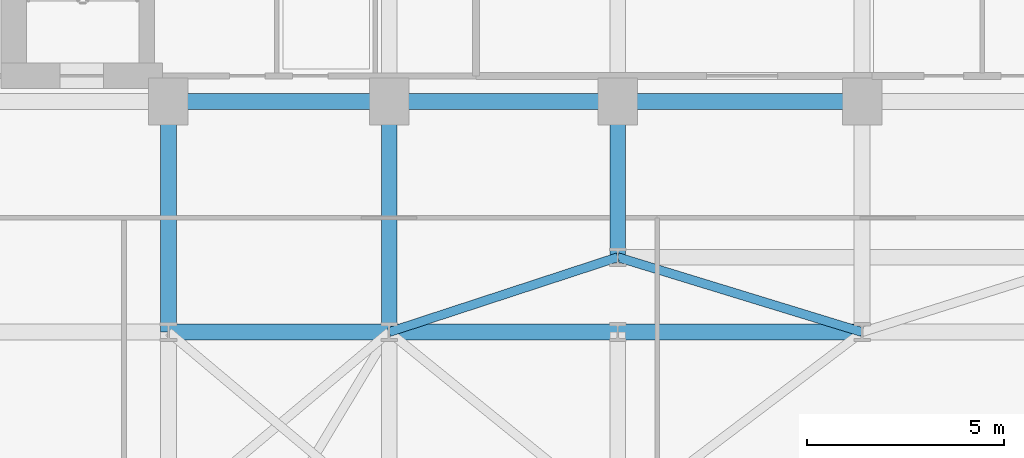
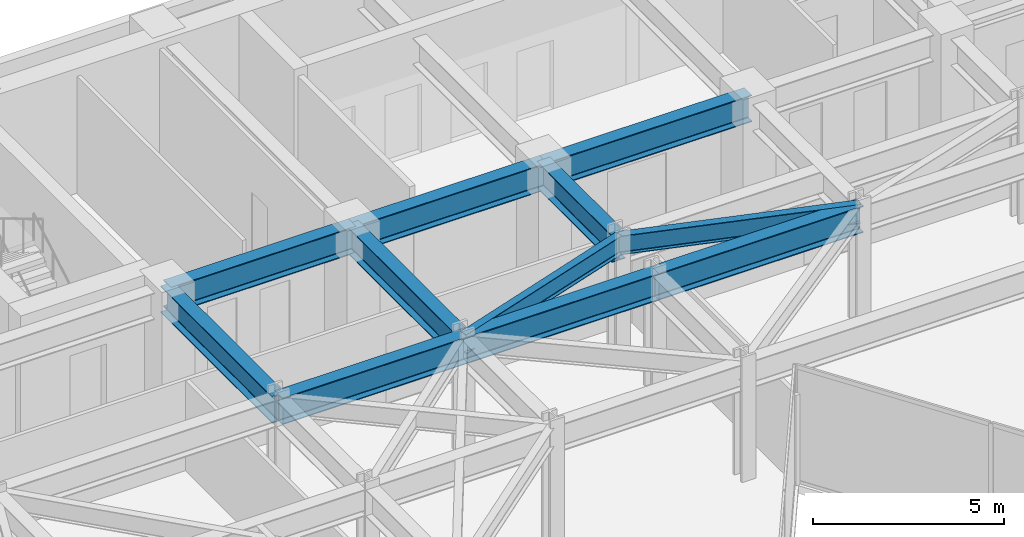
# One storey, part 14 of 26: 11 beams.
"""IFC4 building model written with IfcOpenShell, lengths in metres."""

from ifc_helpers import new_model, si_unit, direction, frame, origin, origin_2d, place, context, subcontext, project, spatial, i_section, extrude, material, material_profile, profile_set, type_object, element, save


model = new_model("IFC4")

# Units and contexts
model_context = context("Model", 3, precision=1e-05, world=origin(), true_north=direction((0.0, 1.0)))
body_context = subcontext(model_context, "Body", "Model", "MODEL_VIEW")
ifc_project = project(units=[si_unit("LENGTHUNIT", "METRE"), si_unit("AREAUNIT", "SQUARE_METRE"), si_unit("VOLUMEUNIT", "CUBIC_METRE"), si_unit("PLANEANGLEUNIT", "RADIAN"), si_unit("MASSUNIT", "GRAM", prefix="KILO")], contexts=[model_context])

# Site, building, storey
site_placement = place(None, origin())
site = spatial("IfcSite", under=ifc_project, at=site_placement, CompositionType="ELEMENT")
building_placement = place(site_placement, origin())
building = spatial("IfcBuilding", under=site, at=building_placement, Name="Kravanh Interchange Tower", CompositionType="ELEMENT")
storey_placement = place(building_placement, frame((0.0, 0.0, 124.0)))
storey = spatial("IfcBuildingStorey", under=building, at=storey_placement, Name="L29", CompositionType="ELEMENT", Elevation=124.0)

# Beams
ifc_material_1 = material(Name="Structural Steel S355", Category="steel")
ifc_material_profile_1 = material_profile(ifc_material_1, i_section(OverallWidth=0.39990234375, OverallDepth=0.85595703125, WebThickness=0.018310546875, FlangeThickness=0.029296875, FilletRadius=0.02490234375, at=origin_2d()), Name="W33X201")
ifc_profile_set_1 = profile_set([ifc_material_profile_1], Name="Structural Steel S355")
beam_type_1 = type_object("IfcBeamType", Name="Floor Beam W33X201 Structural Steel S355", PredefinedType="BEAM", material=ifc_profile_set_1)
beam_1_placement = place(storey_placement, frame((44.800048828125, 37.35009765625, 3.322021484375), z_axis=(-1.0, 0.0, 0.0), x_axis=(0.0, -1.0, 0.0)))
element("IfcBeam", 1, at=beam_1_placement, inside=storey, type_object=beam_type_1, Name="L29 Primary Floor Girder 13", PredefinedType="BEAM", context=body_context, shape_type="SweptSolid", body=[
    extrude(i_section(OverallWidth=0.39990234375, OverallDepth=0.85595703125, WebThickness=0.018310546875, FlangeThickness=0.029296875, FilletRadius=0.02490234375, at=origin_2d()), origin(), (0.0, 0.0, 1.0), 6.199951171875),
])
beam_2_placement = place(storey_placement, frame((38.60009765625, 37.35009765625, 3.322021484375), z_axis=(0.0, -1.0, 0.0), x_axis=(1.0, 0.0, 0.0)))
element("IfcBeam", 2, at=beam_2_placement, inside=storey, type_object=beam_type_1, Name="L29 Primary Floor Girder 16", PredefinedType="BEAM", context=body_context, shape_type="SweptSolid", body=[
    extrude(i_section(OverallWidth=0.39990234375, OverallDepth=0.85595703125, WebThickness=0.018310546875, FlangeThickness=0.029296875, FilletRadius=0.02490234375, at=origin_2d()), origin(), (0.0, 0.0, 1.0), 3.9501953125),
])
beam_3_placement = place(storey_placement, frame((38.60009765625, 37.35009765625, 3.322021484375), z_axis=(-1.0, 0.0, 0.0), x_axis=(0.0, -1.0, 0.0)))
element("IfcBeam", 3, at=beam_3_placement, inside=storey, type_object=beam_type_1, Name="L29 Primary Floor Girder 17", PredefinedType="BEAM", context=body_context, shape_type="SweptSolid", body=[
    extrude(i_section(OverallWidth=0.39990234375, OverallDepth=0.85595703125, WebThickness=0.018310546875, FlangeThickness=0.029296875, FilletRadius=0.02490234375, at=origin_2d()), origin(), (0.0, 0.0, 1.0), 5.800048828125),
])
beam_4_placement = place(storey_placement, frame((32.800048828125, 37.35009765625, 3.322021484375), z_axis=(-1.0, 0.0, 0.0), x_axis=(0.0, -1.0, 0.0)))
element("IfcBeam", 4, at=beam_4_placement, inside=storey, type_object=beam_type_1, Name="L29 Primary Floor Girder 20", PredefinedType="BEAM", context=body_context, shape_type="SweptSolid", body=[
    extrude(i_section(OverallWidth=0.39990234375, OverallDepth=0.85595703125, WebThickness=0.018310546875, FlangeThickness=0.029296875, FilletRadius=0.02490234375, at=origin_2d()), origin(), (0.0, 0.0, 1.0), 5.60009765625),
])
for number, where, z_axis, x_axis, name in (
    (5, (32.800048828125, 37.35009765625, 3.322021484375), (0.0, -1.0, 0.0), (1.0, 0.0, 0.0), "L29 Primary Floor Girder 21"),
    (6, (27.199951171875, 37.35009765625, 3.322021484375), (0.0, -1.0, 0.0), (1.0, 0.0, 0.0), "L29 Primary Floor Girder 24"),
):
    element("IfcBeam", number, at=place(storey_placement, frame(where, z_axis=z_axis, x_axis=x_axis)), inside=storey, type_object=beam_type_1, Name=name, PredefinedType="BEAM", context=body_context, shape_type="SweptSolid", body=[
        extrude(i_section(OverallWidth=0.39990234375, OverallDepth=0.85595703125, WebThickness=0.018310546875, FlangeThickness=0.029296875, FilletRadius=0.02490234375, at=origin_2d()), origin(), (0.0, 0.0, 1.0), 5.85009765625),
    ])
beam_5_placement = place(storey_placement, frame((27.199951171875, 31.5, 3.322021484375), z_axis=(1.0, 0.0, 0.0), x_axis=(0.0, 1.0, 0.0)))
element("IfcBeam", 7, at=beam_5_placement, inside=storey, type_object=beam_type_1, Name="L29 Primary Floor Girder 74", PredefinedType="BEAM", context=body_context, shape_type="SweptSolid", body=[
    extrude(i_section(OverallWidth=0.39990234375, OverallDepth=0.85595703125, WebThickness=0.018310546875, FlangeThickness=0.029296875, FilletRadius=0.02490234375, at=origin_2d()), origin(), (0.0, 0.0, 1.0), 5.60009765625),
])
beam_6_placement = place(storey_placement, frame((32.800048828125, 31.5, 3.322021484375), z_axis=(1.0, 0.0, 0.0), x_axis=(0.0, 1.0, 0.0)))
element("IfcBeam", 8, at=beam_6_placement, inside=storey, type_object=beam_type_1, Name="L29 Primary Floor Girder 78", PredefinedType="BEAM", context=body_context, shape_type="SweptSolid", body=[
    extrude(i_section(OverallWidth=0.39990234375, OverallDepth=0.85595703125, WebThickness=0.018310546875, FlangeThickness=0.029296875, FilletRadius=0.02490234375, at=origin_2d()), origin(), (0.0, 0.0, 1.0), 5.800048828125),
])
beam_7_placement = place(storey_placement, frame((38.60009765625, 31.5, 3.322021484375), z_axis=(1.0, 0.0, 0.0), x_axis=(0.0, 1.0, 0.0)))
element("IfcBeam", 9, at=beam_7_placement, inside=storey, type_object=beam_type_1, Name="L29 Primary Floor Girder 81", PredefinedType="BEAM", context=body_context, shape_type="SweptSolid", body=[
    extrude(i_section(OverallWidth=0.39990234375, OverallDepth=0.85595703125, WebThickness=0.018310546875, FlangeThickness=0.029296875, FilletRadius=0.02490234375, at=origin_2d()), origin(), (0.0, 0.0, 1.0), 6.199951171875),
])
ifc_material_2 = material(Name="Structural Steel S355", Category="steel")
ifc_material_profile_2 = material_profile(ifc_material_2, i_section(OverallWidth=0.22802734375, OverallDepth=0.60791015625, WebThickness=0.01123046875, FlangeThickness=0.017333984375, FilletRadius=0.02197265625, at=origin_2d()), Name="W24X76")
ifc_profile_set_2 = profile_set([ifc_material_profile_2], Name="Structural Steel S355")
beam_type_2 = type_object("IfcBeamType", Name="Floor Spandrel W24X76 Structural Steel S355", PredefinedType="SPANDREL", material=ifc_profile_set_2)
beam_8_placement = place(storey_placement, frame((32.800048828125, 31.5, 3.446044921875), z_axis=(0.950314536578, 0.31129131303, 0.0), x_axis=(-0.31129131303, 0.950314536578, 0.0)))
element("IfcBeam", 10, at=beam_8_placement, inside=storey, type_object=beam_type_2, Name="L29 Perimeter Spandrel 79", PredefinedType="SPANDREL", context=body_context, shape_type="SweptSolid", body=[
    extrude(i_section(OverallWidth=0.22802734375, OverallDepth=0.60791015625, WebThickness=0.01123046875, FlangeThickness=0.017333984375, FilletRadius=0.02197265625, at=origin_2d()), origin(), (0.0, 0.0, 1.0), 6.103271484375),
])
beam_9_placement = place(storey_placement, frame((44.800048828125, 31.5, 3.446044921875), z_axis=(-0.956115397264, 0.292990353279, 0.0), x_axis=(-0.292990353279, -0.956115397264, 0.0)))
element("IfcBeam", 11, at=beam_9_placement, inside=storey, type_object=beam_type_2, Name="L29 Perimeter Spandrel 85", PredefinedType="SPANDREL", context=body_context, shape_type="SweptSolid", body=[
    extrude(i_section(OverallWidth=0.22802734375, OverallDepth=0.60791015625, WebThickness=0.01123046875, FlangeThickness=0.017333984375, FilletRadius=0.02197265625, at=origin_2d()), origin(), (0.0, 0.0, 1.0), 6.484619140625),
])

save(model, "model.ifc")
